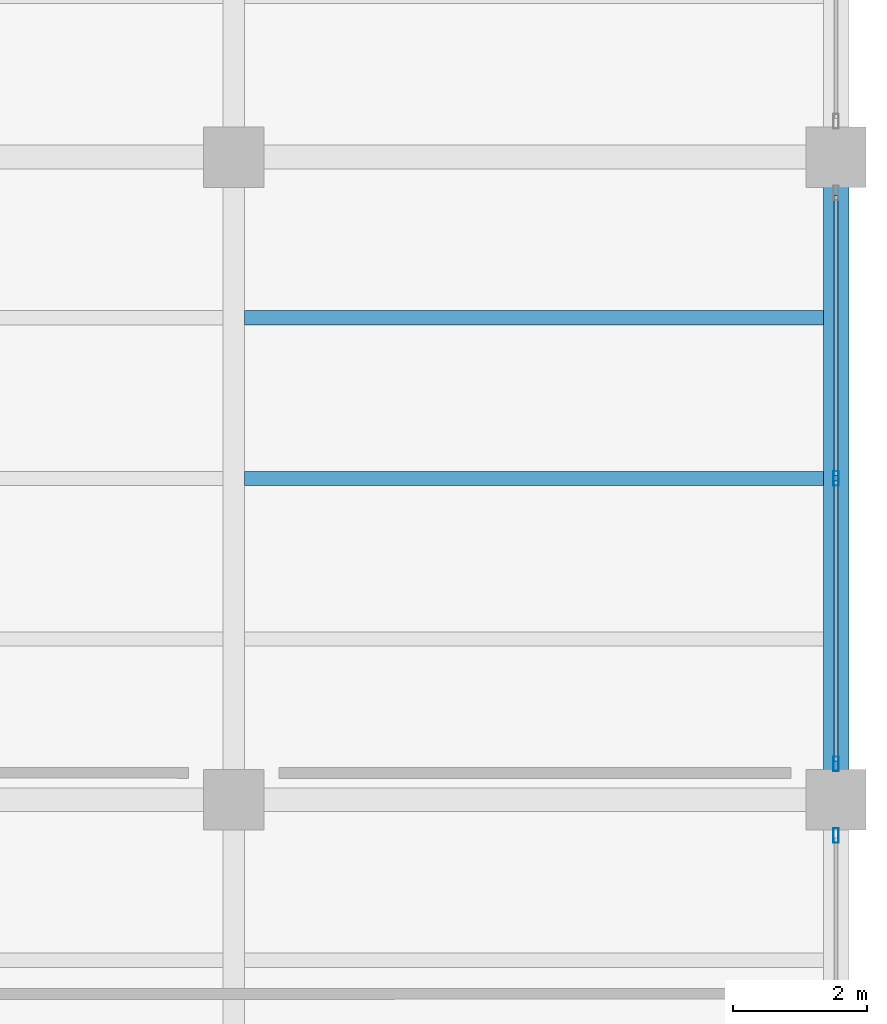
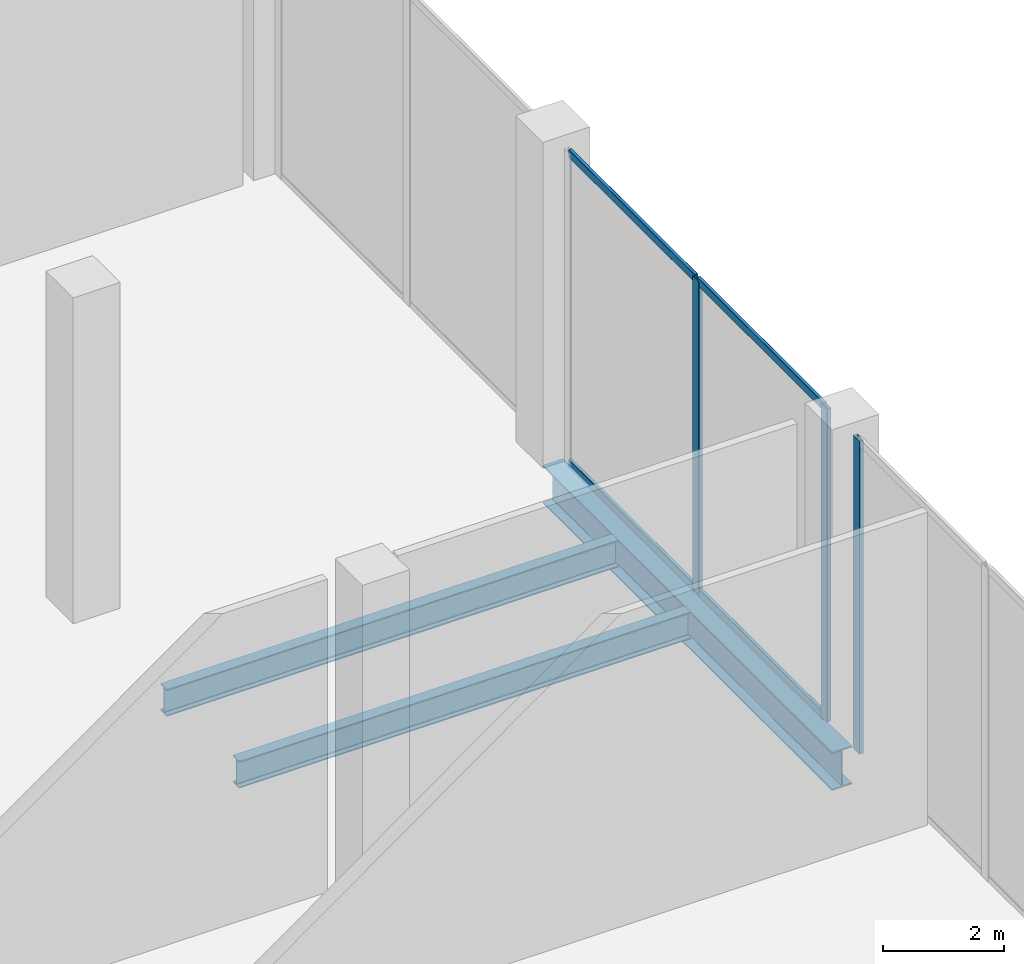
# One storey, part 16 of 45: 7 members, 3 beams, 2 elements without a shape of their own.
"""IFC4 building model written with IfcOpenShell, lengths in metres."""

from ifc_helpers import new_model, si_unit, direction, frame, origin, origin_2d, place, context, subcontext, project, spatial, hollow_rectangle, i_section, extrude, material, layer, layer_set, material_profile, profile_set, type_object, element, aggregate, save


model = new_model("IFC4")

# Units and contexts
model_context = context("Model", 3, precision=1e-05, world=origin(), true_north=direction((0.0, 1.0)))
body_context = subcontext(model_context, "Body", "Model", "MODEL_VIEW")
ifc_project = project(units=[si_unit("LENGTHUNIT", "METRE"), si_unit("AREAUNIT", "SQUARE_METRE"), si_unit("VOLUMEUNIT", "CUBIC_METRE"), si_unit("PLANEANGLEUNIT", "RADIAN"), si_unit("MASSUNIT", "GRAM", prefix="KILO")], contexts=[model_context])

# Site, building, storey
site_placement = place(None, origin())
site = spatial("IfcSite", under=ifc_project, at=site_placement, CompositionType="ELEMENT")
building_placement = place(site_placement, origin())
building = spatial("IfcBuilding", under=site, at=building_placement, Name="Qorvath Tower", CompositionType="ELEMENT")
storey_placement = place(building_placement, origin())
storey = spatial("IfcBuildingStorey", under=building, at=storey_placement, Name="L00", CompositionType="ELEMENT", Elevation=0.0)

# Beams
ifc_material_1 = material(Name="Steel ASTM A992 Grade 50", Category="steel")
ifc_material_profile_1 = material_profile(ifc_material_1, i_section(OverallWidth=0.381103515625, OverallDepth=0.77294921875, WebThickness=0.0166015625, FlangeThickness=0.027099609375, FilletRadius=0.01904296875, at=origin_2d()), Name="W30x173")
ifc_profile_set_1 = profile_set([ifc_material_profile_1], Name="Steel ASTM A992 Grade 50")
beam_type_1 = type_object("IfcBeamType", Name="BM-FG3", PredefinedType="BEAM", material=ifc_profile_set_1)
beam_placement = place(storey_placement, frame((77.39990234375, -9.60009765625, -0.6865234375), z_axis=(0.0, 1.0, 0.0), x_axis=(-1.0, 0.0, 0.0)))
element("IfcBeam", 1, at=beam_placement, inside=storey, type_object=beam_type_1, Name="Library N-S Girder L00-6-4", PredefinedType="BEAM", context=body_context, shape_type="SweptSolid", body=[
    extrude(i_section(OverallWidth=0.381103515625, OverallDepth=0.77294921875, WebThickness=0.0166015625, FlangeThickness=0.027099609375, FilletRadius=0.01904296875, at=origin_2d()), origin(), (0.0, 0.0, 1.0), 9.60009765625),
])
ifc_material_2 = material(Name="Steel ASTM A992 Grade 50", Category="steel")
ifc_material_profile_2 = material_profile(ifc_material_2, i_section(OverallWidth=0.2119140625, OverallDepth=0.5439453125, WebThickness=0.01318359375, FlangeThickness=0.021240234375, FilletRadius=0.013916015625, at=origin_2d()), Name="W21x83")
ifc_profile_set_2 = profile_set([ifc_material_profile_2], Name="Steel ASTM A992 Grade 50")
beam_type_2 = type_object("IfcBeamType", Name="BM-FJ1", PredefinedType="JOIST", material=ifc_profile_set_2)
for number, where, z_axis, x_axis, name in (
    (2, (68.560546875, -4.800048828125, -0.572021484375), (1.0, 0.0, 0.0), (0.0, 1.0, 0.0), "Library Stack Joist L00-4.2-5"),
    (3, (68.560546875, -2.39990234375, -0.572021484375), (1.0, 0.0, 0.0), (0.0, 1.0, 0.0), "Library Stack Joist L00-4.3-5"),
):
    element("IfcBeam", number, at=place(storey_placement, frame(where, z_axis=z_axis, x_axis=x_axis)), inside=storey, type_object=beam_type_2, Name=name, PredefinedType="JOIST", context=body_context, shape_type="SweptSolid", body=[
        extrude(i_section(OverallWidth=0.2119140625, OverallDepth=0.5439453125, WebThickness=0.01318359375, FlangeThickness=0.021240234375, FilletRadius=0.013916015625, at=origin_2d()), origin(), (0.0, 0.0, 1.0), 8.65087890625),
    ])

# Curtain wall, member
ifc_material_3 = material(Name="Anodised aluminium and triple low-E glass", Category="aluminium")
ifc_layer = layer(ifc_material_3, 0.179931640625)
ifc_layer_set = layer_set([ifc_layer], Name="CW-SYS-6")
curtain_wall_type = type_object("IfcCurtainWallType", Name="CW-SYS-6", PredefinedType="NOTDEFINED", material=ifc_layer_set)
curtain_wall_1_placement = place(storey_placement, origin())
curtain_wall_1 = element("IfcCurtainWall", 4, at=curtain_wall_1_placement, inside=storey, type_object=curtain_wall_type, Name="Curtain Wall CW-6 CW-LIB-E-L00-3", PredefinedType="NOTDEFINED")
ifc_material_4 = material(Name="Anodised aluminium 6063-T6", Category="aluminium")
ifc_material_profile_3 = material_profile(ifc_material_4, hollow_rectangle(XDim=0.080078125, YDim=0.219970703125, WallThickness=0.00439453125, InnerFilletRadius=0.00439453125, OuterFilletRadius=0.009033203125, at=origin_2d()), Name="CWM LIB 220x80")
ifc_profile_set_3 = profile_set([ifc_material_profile_3], Name="Anodised aluminium 6063-T6")
member_type_1 = type_object("IfcMemberType", Name="CWM-LIB", PredefinedType="MULLION", material=ifc_profile_set_3)
member_1_placement = place(storey_placement, frame((77.39990234375, -10.135009765625, 0.0), z_axis=(0.0, 0.0, 1.0), x_axis=(-1.0, 0.0, 0.0)))
member_1 = element("IfcMember", 5, at=member_1_placement, type_object=member_type_1, Name="CW-6 mullion 3", PredefinedType="MULLION", context=body_context, shape_type="SweptSolid", body=[
    extrude(hollow_rectangle(XDim=0.080078125, YDim=0.219970703125, WallThickness=0.00439453125, InnerFilletRadius=0.00439453125, OuterFilletRadius=0.009033203125, at=origin_2d()), origin(), (0.0, 0.0, 1.0), 6.340087890625),
])
aggregate(curtain_wall_1, [member_1])

# Curtain wall, members
curtain_wall_2_placement = place(storey_placement, origin())
curtain_wall_2 = element("IfcCurtainWall", 6, at=curtain_wall_2_placement, inside=storey, type_object=curtain_wall_type, Name="Curtain Wall CW-6 CW-LIB-E-L00-4", PredefinedType="NOTDEFINED")
member_2_placement = place(storey_placement, frame((77.39990234375, -9.06494140625, 0.0), z_axis=(0.0, 0.0, 1.0), x_axis=(-1.0, 0.0, 0.0)))
member_2 = element("IfcMember", 7, at=member_2_placement, type_object=member_type_1, Name="CW-6 mullion 1", PredefinedType="MULLION", context=body_context, shape_type="SweptSolid", body=[
    extrude(hollow_rectangle(XDim=0.080078125, YDim=0.219970703125, WallThickness=0.00439453125, InnerFilletRadius=0.00439453125, OuterFilletRadius=0.009033203125, at=origin_2d()), origin(), (0.0, 0.0, 1.0), 6.340087890625),
])
member_3_placement = place(storey_placement, frame((77.39990234375, -4.800048828125, 0.0), z_axis=(0.0, 0.0, 1.0), x_axis=(-1.0, 0.0, 0.0)))
member_3 = element("IfcMember", 8, at=member_3_placement, type_object=member_type_1, Name="CW-6 mullion 2", PredefinedType="MULLION", context=body_context, shape_type="SweptSolid", body=[
    extrude(hollow_rectangle(XDim=0.080078125, YDim=0.219970703125, WallThickness=0.00439453125, InnerFilletRadius=0.00439453125, OuterFilletRadius=0.009033203125, at=origin_2d()), origin(), (0.0, 0.0, 1.0), 6.340087890625),
])
ifc_material_5 = material(Name="Anodised aluminium 6063-T6", Category="aluminium")
ifc_material_profile_4 = material_profile(ifc_material_5, hollow_rectangle(XDim=0.06494140625, YDim=0.159912109375, WallThickness=0.00341796875, InnerFilletRadius=0.00341796875, OuterFilletRadius=0.007080078125, at=origin_2d()), Name="CWT 160x65")
ifc_profile_set_4 = profile_set([ifc_material_profile_4], Name="Anodised aluminium 6063-T6")
member_type_2 = type_object("IfcMemberType", Name="CWT-160", PredefinedType="USERDEFINED", material=ifc_profile_set_4)
member_4_placement = place(storey_placement, frame((77.39990234375, -9.02490234375, 0.032470703125), z_axis=(0.0, 1.0, 0.0), x_axis=(-1.0, 0.0, 0.0)))
member_4 = element("IfcMember", 9, at=member_4_placement, type_object=member_type_2, Name="CW-6 transom 1.1", ObjectType="TRANSOM", PredefinedType="USERDEFINED", context=body_context, shape_type="SweptSolid", body=[
    extrude(hollow_rectangle(XDim=0.06494140625, YDim=0.159912109375, WallThickness=0.00341796875, InnerFilletRadius=0.00341796875, OuterFilletRadius=0.007080078125, at=origin_2d()), origin(), (0.0, 0.0, 1.0), 4.184814453125),
])
member_5_placement = place(storey_placement, frame((77.39990234375, -9.02490234375, 6.3076171875), z_axis=(0.0, 1.0, 0.0), x_axis=(-1.0, 0.0, 0.0)))
member_5 = element("IfcMember", 10, at=member_5_placement, type_object=member_type_2, Name="CW-6 transom 1.2", ObjectType="TRANSOM", PredefinedType="USERDEFINED", context=body_context, shape_type="SweptSolid", body=[
    extrude(hollow_rectangle(XDim=0.06494140625, YDim=0.159912109375, WallThickness=0.00341796875, InnerFilletRadius=0.00341796875, OuterFilletRadius=0.007080078125, at=origin_2d()), origin(), (0.0, 0.0, 1.0), 4.184814453125),
])
member_6_placement = place(storey_placement, frame((77.39990234375, -4.760009765625, 0.032470703125), z_axis=(0.0, 1.0, 0.0), x_axis=(-1.0, 0.0, 0.0)))
member_6 = element("IfcMember", 11, at=member_6_placement, type_object=member_type_2, Name="CW-6 transom 2.1", ObjectType="TRANSOM", PredefinedType="USERDEFINED", context=body_context, shape_type="SweptSolid", body=[
    extrude(hollow_rectangle(XDim=0.06494140625, YDim=0.159912109375, WallThickness=0.00341796875, InnerFilletRadius=0.00341796875, OuterFilletRadius=0.007080078125, at=origin_2d()), origin(), (0.0, 0.0, 1.0), 4.184814453125),
])
member_7_placement = place(storey_placement, frame((77.39990234375, -4.760009765625, 6.3076171875), z_axis=(0.0, 1.0, 0.0), x_axis=(-1.0, 0.0, 0.0)))
member_7 = element("IfcMember", 12, at=member_7_placement, type_object=member_type_2, Name="CW-6 transom 2.2", ObjectType="TRANSOM", PredefinedType="USERDEFINED", context=body_context, shape_type="SweptSolid", body=[
    extrude(hollow_rectangle(XDim=0.06494140625, YDim=0.159912109375, WallThickness=0.00341796875, InnerFilletRadius=0.00341796875, OuterFilletRadius=0.007080078125, at=origin_2d()), origin(), (0.0, 0.0, 1.0), 4.184814453125),
])
aggregate(curtain_wall_2, [member_2, member_3, member_4, member_5, member_6, member_7])

save(model, "model.ifc")
